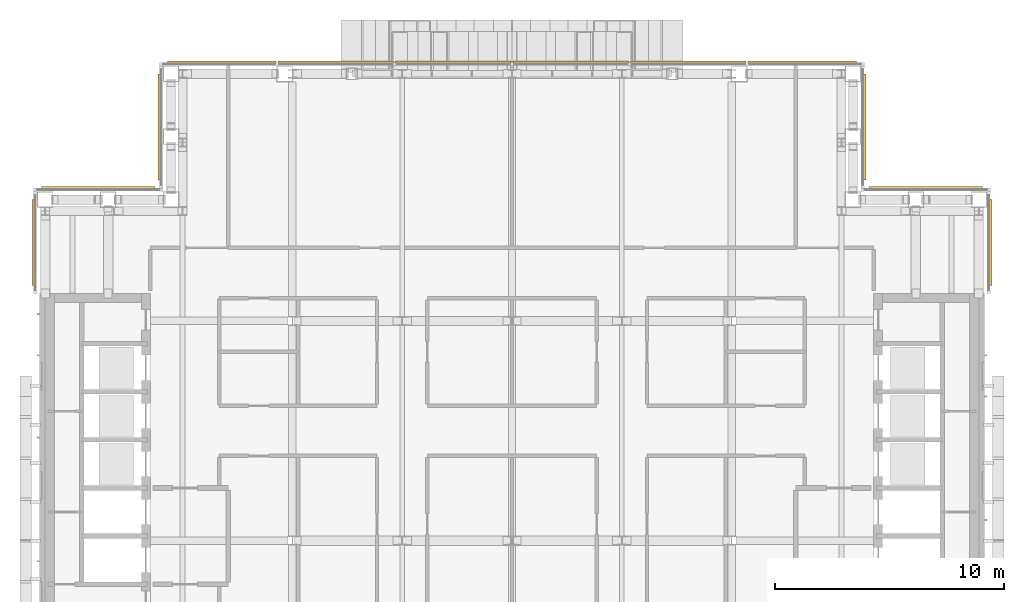
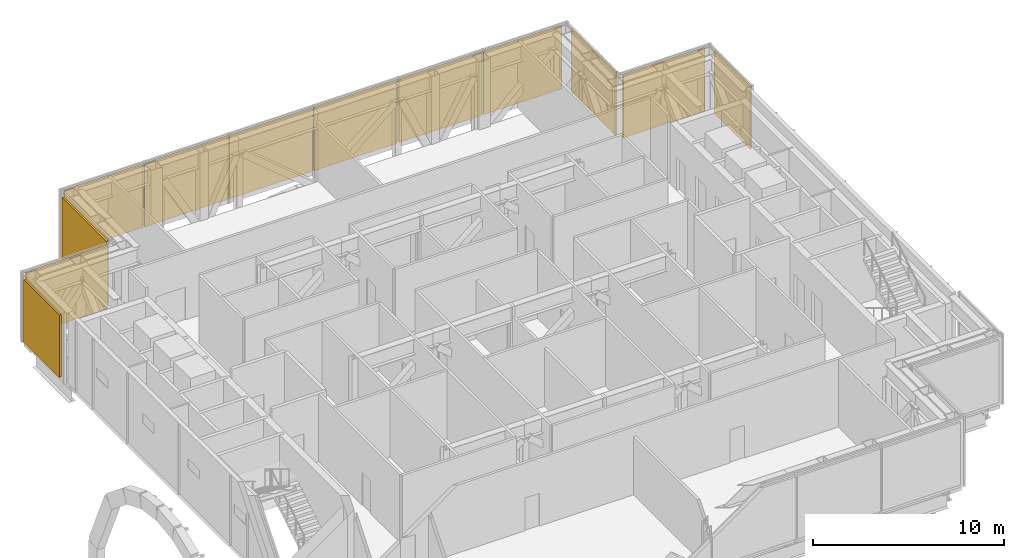
# One storey, part 25 of 26: 12 coverings.
"""IFC4 building model written with IfcOpenShell, lengths in metres."""

import ifcopenshell
import ifcopenshell.guid

model = None  # the IFC model being written
_history = None  # IfcOwnerHistory: only IFC2X3 demands one
_inside = {}  # id of a spatial element -> (the spatial element, [elements in it])
_under = {}  # id of a project, library or spatial element -> (it, [spatial elements below it])
_declared = {}  # id of a project -> (the project, [libraries it declares])
_typed = {}  # id of a type object -> (the type object, [elements of that type])
_made_of = {}  # id of a material, layer set ... -> (it, [elements and type objects made of it])


def new_model(schema):
    """Start an empty IFC model of exactly this schema.

    Asked for "IFC4X3", IfcOpenShell would pick the latest addendum, in which some entities
    have other attributes; the version numbers below select the first issue.
    IFC2X3 requires an IfcOwnerHistory on every rooted entity: one is made here for all.
    """
    global model, _history
    if schema == "IFC4X3":
        model = ifcopenshell.file(schema_version=(4, 3, 0, 0))
    else:
        model = ifcopenshell.file(schema=schema)
    _inside.clear()
    _under.clear()
    _declared.clear()
    _typed.clear()
    _made_of.clear()
    _history = None
    if model.schema == "IFC2X3":
        org = make("IfcOrganization", Name="unknown")
        user = make(
            "IfcPersonAndOrganization",
            ThePerson=make("IfcPerson", FamilyName="unknown"),
            TheOrganization=org,
        )
        app = make(
            "IfcApplication",
            ApplicationDeveloper=org,
            Version="unknown",
            ApplicationFullName="unknown",
            ApplicationIdentifier="unknown",
        )
        _history = make(
            "IfcOwnerHistory",
            OwningUser=user,
            OwningApplication=app,
            ChangeAction="ADDED",
            CreationDate=0,
        )
    return model


def make(cls, **values):
    """One entity of the class cls with the attributes given. An attribute that is None is left unset."""
    return model.create_entity(
        cls, **{name: value for name, value in values.items() if value is not None}
    )


def rooted(cls, **values):
    """An entity with a GlobalId (a new one), such as an element, a storey or a relation."""
    return make(cls, GlobalId=ifcopenshell.guid.new(), OwnerHistory=_history, **values)


def si_unit(unit_type, name, prefix=None):
    """IfcSIUnit, for example si_unit("LENGTHUNIT", "METRE", prefix="MILLI")."""
    return make("IfcSIUnit", UnitType=unit_type, Prefix=prefix, Name=name)


def assignment(units):
    """IfcUnitAssignment: the units of a project."""
    return None if units is None else make("IfcUnitAssignment", Units=units)


def point(xyz):
    """IfcCartesianPoint."""
    return None if xyz is None else make("IfcCartesianPoint", Coordinates=xyz)


def direction(xyz):
    """IfcDirection."""
    return None if xyz is None else make("IfcDirection", DirectionRatios=xyz)


def frame(location, z_axis=None, x_axis=None):
    """IfcAxis2Placement3D, a coordinate frame: its origin and axes. An axis left out is left unset."""
    return make(
        "IfcAxis2Placement3D",
        Location=point(location),
        Axis=direction(z_axis),
        RefDirection=direction(x_axis),
    )


def frame_2d(location, x_axis=None):
    """IfcAxis2Placement2D, a coordinate frame in the plane: its origin and x axis."""
    return make(
        "IfcAxis2Placement2D", Location=point(location), RefDirection=direction(x_axis)
    )


def origin():
    """The frame at (0, 0, 0) with its axes left unset."""
    return frame((0.0, 0.0, 0.0))


def origin_2d():
    """The frame at (0, 0) in the plane with its x axis left unset."""
    return frame_2d((0.0, 0.0))


def place(relative_to, where):
    """IfcLocalPlacement: puts the frame where relative to a parent placement (None: the world)."""
    return make(
        "IfcLocalPlacement", PlacementRelTo=relative_to, RelativePlacement=where
    )


def context(
    kind, dimensions, precision=None, world=None, true_north=None, identifier=None
):
    """IfcGeometricRepresentationContext, for example the 3D "Model" context."""
    return make(
        "IfcGeometricRepresentationContext",
        ContextIdentifier=identifier,
        ContextType=kind,
        CoordinateSpaceDimension=dimensions,
        Precision=precision,
        WorldCoordinateSystem=world,
        TrueNorth=true_north,
    )


def subcontext(parent, identifier, kind, view, scale=None):
    """IfcGeometricRepresentationSubContext, for example "Body" below "Model"."""
    return make(
        "IfcGeometricRepresentationSubContext",
        ContextIdentifier=identifier,
        ContextType=kind,
        ParentContext=parent,
        TargetScale=scale,
        TargetView=view,
    )


def project(units=None, contexts=None):
    """IfcProject with its units and contexts."""
    return rooted(
        "IfcProject",
        Name="project",
        RepresentationContexts=contexts,
        UnitsInContext=assignment(units),
    )


def spatial(cls, under=None, at=None, **own):
    """A site, building, storey or space (cls), placed at a placement, below another one or the project."""
    s = rooted(cls, ObjectPlacement=at, **own)
    if under is not None:
        _under.setdefault(under.id(), (under, []))[1].append(s)
    return s


def profile(cls, at=None, kind="AREA", **sizes):
    """A parametric profile (cls). Its sizes go by their IFC names, for example OverallWidth=200.0."""
    return make(cls, ProfileType=kind, Position=at, **sizes)


def rectangle(**sizes):
    """IfcRectangleProfileDef."""
    return profile("IfcRectangleProfileDef", **sizes)


def extrude(swept, where, along, depth):
    """IfcExtrudedAreaSolid: the profile swept, set in the frame where, extruded along a direction by depth."""
    return make(
        "IfcExtrudedAreaSolid",
        SweptArea=swept,
        Position=where,
        ExtrudedDirection=direction(along),
        Depth=depth,
    )


def shape(context_of_items, identifier, shape_type, items):
    """IfcShapeRepresentation: the items that make up one representation, for example the "Body"."""
    return make(
        "IfcShapeRepresentation",
        ContextOfItems=context_of_items,
        RepresentationIdentifier=identifier,
        RepresentationType=shape_type,
        Items=items,
    )


def material(Name=None, Category=None):
    """IfcMaterial."""
    return make("IfcMaterial", Name=Name, Category=Category)


def made_of(thing, what):
    """Note that an element or type object is made of a material, layer set ...; save() writes the relation."""
    if what is not None:
        _made_of.setdefault(what.id(), (what, []))[1].append(thing)
    return thing


def type_object(cls, material=None, **own):
    """A type object (cls), such as IfcWallType, which elements share."""
    return made_of(rooted(cls, **own), material)


def element(
    cls,
    number,
    at=None,
    inside=None,
    cuts=None,
    type_object=None,
    material=None,
    context=None,
    identifier="Body",
    shape_type=None,
    held_by="IfcProductDefinitionShape",
    body=None,
    shapes=None,
    **own,
):
    """One element of the class cls, such as IfcWall. Its Tag is "e" and its number.

    at: its placement. inside: the storey or other place that contains it. cuts: it is an
    opening in that element (IfcRelVoidsElement). A single representation is given by context,
    identifier, shape_type and body (its items); several are given by shapes. held_by: the class
    of the entity that holds the representations. save() writes the other relations.
    """
    e = rooted(cls, Tag="e%d" % number, ObjectPlacement=at, **own)
    if body is not None:
        shapes = [shape(context, identifier, shape_type, body)]
    if shapes is not None:
        e.Representation = make(held_by, Representations=shapes)
    if inside is not None:
        _inside.setdefault(inside.id(), (inside, []))[1].append(e)
    if cuts is not None:
        rooted(
            "IfcRelVoidsElement", RelatingBuildingElement=cuts, RelatedOpeningElement=e
        )
    if type_object is not None:
        _typed.setdefault(type_object.id(), (type_object, []))[1].append(e)
    return made_of(e, material)


def aggregate(whole, parts):
    """IfcRelAggregates: a whole, such as a stair, and the parts it consists of."""
    return rooted("IfcRelAggregates", RelatingObject=whole, RelatedObjects=parts)


def save(model, path):
    """Write the relations noted so far, then the file.

    IfcRelAggregates (storeys below a building ...), IfcRelContainedInSpatialStructure (elements
    in a storey), IfcRelDefinesByType, IfcRelAssociatesMaterial and IfcRelDeclares: one each for
    every whole, place, type object, material and project.
    """
    for whole, parts in _under.values():
        aggregate(whole, parts)
    for where, things in _inside.values():
        rooted(
            "IfcRelContainedInSpatialStructure",
            RelatedElements=things,
            RelatingStructure=where,
        )
    for kind, things in _typed.values():
        rooted("IfcRelDefinesByType", RelatedObjects=things, RelatingType=kind)
    for what, things in _made_of.values():
        rooted("IfcRelAssociatesMaterial", RelatedObjects=things, RelatingMaterial=what)
    for by, libraries in _declared.values():
        rooted("IfcRelDeclares", RelatingContext=by, RelatedDefinitions=libraries)
    model.write(path)


model = new_model("IFC4")

# Units and contexts
model_context = context("Model", 3, precision=1e-05, world=origin(), true_north=direction((0.0, 1.0)))
body_context = subcontext(model_context, "Body", "Model", "MODEL_VIEW")
ifc_project = project(units=[si_unit("LENGTHUNIT", "METRE"), si_unit("AREAUNIT", "SQUARE_METRE"), si_unit("VOLUMEUNIT", "CUBIC_METRE"), si_unit("PLANEANGLEUNIT", "RADIAN"), si_unit("MASSUNIT", "GRAM", prefix="KILO")], contexts=[model_context])

# Site, building, storey
site_placement = place(None, origin())
site = spatial("IfcSite", under=ifc_project, at=site_placement, CompositionType="ELEMENT")
building_placement = place(site_placement, origin())
building = spatial("IfcBuilding", under=site, at=building_placement, Name="Cobrizo Arcos Hotel Tower", CompositionType="ELEMENT")
storey_placement = place(building_placement, frame((0.0, 0.0, 236.5)))
storey = spatial("IfcBuildingStorey", under=building, at=storey_placement, Name="L62", CompositionType="ELEMENT", Elevation=236.5)

# Coverings
ifc_material = material(Name="Aluminium 6063-T6 anodised bronze", Category="aluminium")
covering_type = type_object("IfcCoveringType", Name="LV-1 plant louvre band", PredefinedType="CLADDING", material=ifc_material)
covering_1_placement = place(storey_placement, frame((20.905029296875, 13.02490234375, 0.25), z_axis=(0.0, 0.0, 1.0), x_axis=(0.0, 1.0, 0.0)))
element("IfcCovering", 1, at=covering_1_placement, inside=storey, type_object=covering_type, Name="louvre band 1997", PredefinedType="CLADDING", context=body_context, shape_type="SweptSolid", body=[
    extrude(rectangle(XDim=3.75, YDim=0.1201171875, at=origin_2d()), origin(), (0.0, 0.0, 1.0), 4.0),
])
covering_2_placement = place(storey_placement, frame((18.074951171875, 15.405029296875, 0.25), z_axis=(0.0, 0.0, 1.0), x_axis=(-1.0, 0.0, 0.0)))
element("IfcCovering", 2, at=covering_2_placement, inside=storey, type_object=covering_type, Name="louvre band 1998", PredefinedType="CLADDING", context=body_context, shape_type="SweptSolid", body=[
    extrude(rectangle(XDim=4.949951171875, YDim=0.1201171875, at=origin_2d()), origin(), (0.0, 0.0, 1.0), 4.0),
])
covering_3_placement = place(storey_placement, frame((15.405029296875, 18.074951171875, 0.25), z_axis=(0.0, 0.0, 1.0), x_axis=(0.0, 1.0, 0.0)))
element("IfcCovering", 3, at=covering_3_placement, inside=storey, type_object=covering_type, Name="louvre band 1999", PredefinedType="CLADDING", context=body_context, shape_type="SweptSolid", body=[
    extrude(rectangle(XDim=4.64990234375, YDim=0.1201171875, at=origin_2d()), origin(), (0.0, 0.0, 1.0), 4.0),
])
covering_4_placement = place(storey_placement, frame((12.683349609375, 20.905029296875, 0.25), z_axis=(0.0, 0.0, 1.0), x_axis=(-1.0, 0.0, 0.0)))
element("IfcCovering", 4, at=covering_4_placement, inside=storey, type_object=covering_type, Name="louvre band 2000", PredefinedType="CLADDING", context=body_context, shape_type="SweptSolid", body=[
    extrude(rectangle(XDim=4.7333984375, YDim=0.1201171875, at=origin_2d()), origin(), (0.0, 0.0, 1.0), 4.0),
])
for number, where, z_axis, x_axis, name in (
    (5, (7.699951171875, 20.905029296875, 0.25), (0.0, 0.0, 1.0), (-1.0, 0.0, 0.0), "louvre band 2001"),
    (6, (2.566650390625, 20.905029296875, 0.25), (0.0, 0.0, 1.0), (-1.0, 0.0, 0.0), "louvre band 2002"),
    (7, (-2.566650390625, 20.905029296875, 0.25), (0.0, 0.0, 1.0), (-1.0, 0.0, 0.0), "louvre band 2003"),
    (8, (-7.699951171875, 20.905029296875, 0.25), (0.0, 0.0, 1.0), (-1.0, 0.0, 0.0), "louvre band 2004"),
):
    element("IfcCovering", number, at=place(storey_placement, frame(where, z_axis=z_axis, x_axis=x_axis)), inside=storey, type_object=covering_type, Name=name, PredefinedType="CLADDING", context=body_context, shape_type="SweptSolid", body=[
        extrude(rectangle(XDim=5.033447265625, YDim=0.1201171875, at=origin_2d()), origin(), (0.0, 0.0, 1.0), 4.0),
    ])
covering_5_placement = place(storey_placement, frame((-12.683349609375, 20.905029296875, 0.25), z_axis=(0.0, 0.0, 1.0), x_axis=(-1.0, 0.0, 0.0)))
element("IfcCovering", 9, at=covering_5_placement, inside=storey, type_object=covering_type, Name="louvre band 2005", PredefinedType="CLADDING", context=body_context, shape_type="SweptSolid", body=[
    extrude(rectangle(XDim=4.7333984375, YDim=0.1201171875, at=origin_2d()), origin(), (0.0, 0.0, 1.0), 4.0),
])
covering_6_placement = place(storey_placement, frame((-15.405029296875, 18.074951171875, 0.25), z_axis=(0.0, 0.0, 1.0), x_axis=(0.0, -1.0, 0.0)))
element("IfcCovering", 10, at=covering_6_placement, inside=storey, type_object=covering_type, Name="louvre band 2006", PredefinedType="CLADDING", context=body_context, shape_type="SweptSolid", body=[
    extrude(rectangle(XDim=4.64990234375, YDim=0.1201171875, at=origin_2d()), origin(), (0.0, 0.0, 1.0), 4.0),
])
covering_7_placement = place(storey_placement, frame((-18.074951171875, 15.405029296875, 0.25), z_axis=(0.0, 0.0, 1.0), x_axis=(-1.0, 0.0, 0.0)))
element("IfcCovering", 11, at=covering_7_placement, inside=storey, type_object=covering_type, Name="louvre band 2007", PredefinedType="CLADDING", context=body_context, shape_type="SweptSolid", body=[
    extrude(rectangle(XDim=4.949951171875, YDim=0.1201171875, at=origin_2d()), origin(), (0.0, 0.0, 1.0), 4.0),
])
covering_8_placement = place(storey_placement, frame((-20.905029296875, 13.02490234375, 0.25), z_axis=(0.0, 0.0, 1.0), x_axis=(0.0, -1.0, 0.0)))
element("IfcCovering", 12, at=covering_8_placement, inside=storey, type_object=covering_type, Name="louvre band 2008", PredefinedType="CLADDING", context=body_context, shape_type="SweptSolid", body=[
    extrude(rectangle(XDim=3.75, YDim=0.1201171875, at=origin_2d()), origin(), (0.0, 0.0, 1.0), 4.0),
])

save(model, "model.ifc")
